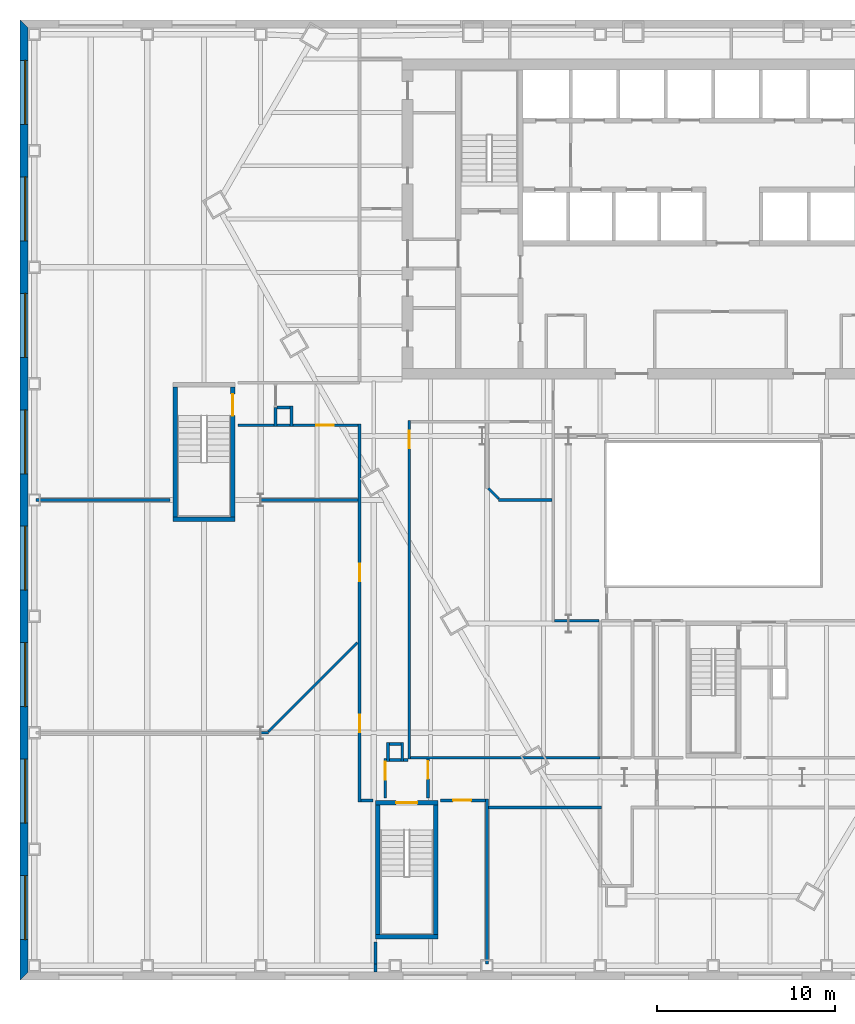
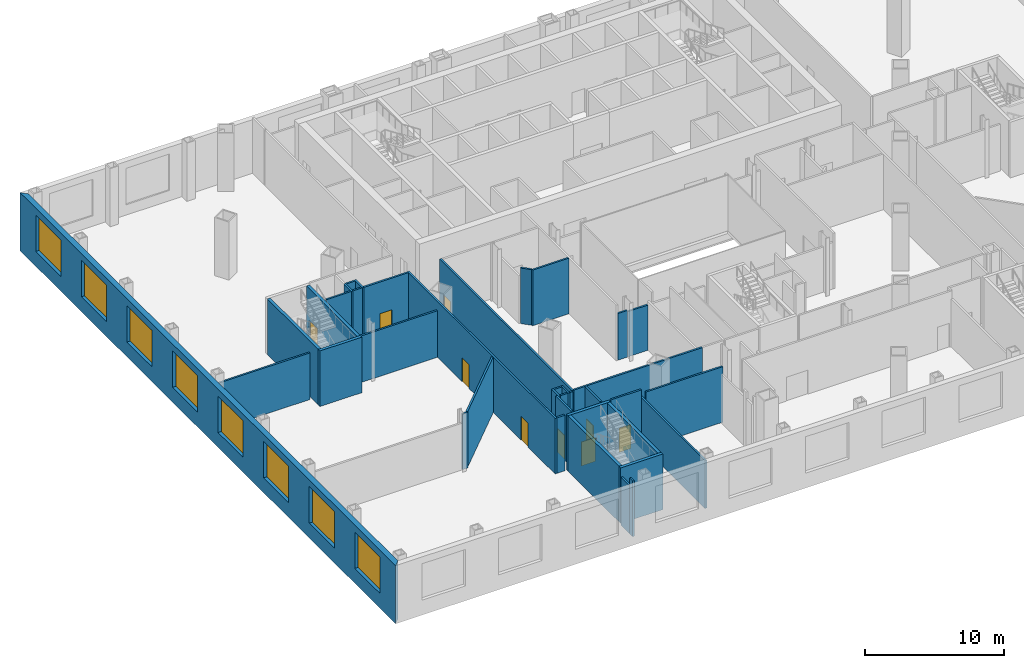
# One storey, part 8 of 21: 38 walls, 9 doors, 8 windows, 17 openings.
"""IFC4 building model written with IfcOpenShell, lengths in metres."""

from ifc_helpers import new_model, si_unit, direction, frame, frame_2d, origin, place, context, subcontext, project, spatial, polyline, rectangle, outline, extrude, material, layer, layer_set, type_object, element, fill, save


model = new_model("IFC4")

# Units and contexts
model_context = context("Model", 3, precision=1e-05, world=origin(), true_north=direction((0.0, 1.0)))
body_context = subcontext(model_context, "Body", "Model", "MODEL_VIEW")
ifc_project = project(units=[si_unit("LENGTHUNIT", "METRE"), si_unit("AREAUNIT", "SQUARE_METRE"), si_unit("VOLUMEUNIT", "CUBIC_METRE"), si_unit("PLANEANGLEUNIT", "RADIAN"), si_unit("MASSUNIT", "GRAM", prefix="KILO")], contexts=[model_context])

# Site, building, storey
site_placement = place(None, origin())
site = spatial("IfcSite", under=ifc_project, at=site_placement, CompositionType="ELEMENT")
building_placement = place(site_placement, origin())
building = spatial("IfcBuilding", under=site, at=building_placement, Name="Njiva Tower", CompositionType="ELEMENT")
storey_placement = place(building_placement, frame((0.0, 0.0, 8.4)))
storey = spatial("IfcBuildingStorey", under=building, at=storey_placement, Name="L01", CompositionType="ELEMENT", Elevation=8.4)

# Walls
ifc_material_1 = material(Name="Gypsum board on steel studs", Category="gypsum")
ifc_layer_1 = layer(ifc_material_1, 0.15)
ifc_layer_set_1 = layer_set([ifc_layer_1], Name="Gypsum board on steel studs")
wall_type_1 = type_object("IfcWallType", Name="WT21 Compartment wall 150", PredefinedType="PARTITIONING", material=ifc_layer_set_1)
wall_1_placement = place(storey_placement, frame((-25.467, -19.9, 0.0), z_axis=(0.0, 0.0, 1.0), x_axis=(1.0, 0.0, 0.0)))
element("IfcWall", 1, at=wall_1_placement, inside=storey, type_object=wall_type_1, Name="Partition L01-P001A", PredefinedType="PARTITIONING", context=body_context, shape_type="SweptSolid", body=[
    extrude(rectangle(XDim=0.441, YDim=0.15, at=frame_2d((0.2205, 0.0))), origin(), (0.0, 0.0, 1.0), 4.88),
])
wall_2_placement = place(storey_placement, frame((-38.1, -6.8, 0.0), z_axis=(0.0, 0.0, 1.0), x_axis=(1.0, 0.0, 0.0)))
element("IfcWall", 2, at=wall_2_placement, inside=storey, type_object=wall_type_1, Name="Partition L01-P002", PredefinedType="PARTITIONING", context=body_context, shape_type="SweptSolid", body=[
    extrude(rectangle(XDim=7.55, YDim=0.15, at=frame_2d((3.775, 0.0))), origin(), (0.0, 0.0, 1.0), 4.09),
])
wall_3_placement = place(storey_placement, frame((-26.75, -6.8, 0.0), z_axis=(0.0, 0.0, 1.0), x_axis=(1.0, 0.0, 0.0)))
element("IfcWall", 3, at=wall_3_placement, inside=storey, type_object=wall_type_1, Name="Partition L01-P003", PredefinedType="PARTITIONING", context=body_context, shape_type="SweptSolid", body=[
    extrude(rectangle(XDim=6.775, YDim=0.15, at=frame_2d((3.3875, 0.0))), origin(), (0.0, 0.0, 1.0), 4.09),
])
wall_4_placement = place(storey_placement, frame((-26.75, -2.6, 0.0), z_axis=(0.0, 0.0, 1.0), x_axis=(1.0, 0.0, 0.0)))
element("IfcWall", 4, at=wall_4_placement, inside=storey, type_object=wall_type_1, Name="Partition L01-P004", PredefinedType="PARTITIONING", context=body_context, shape_type="SweptSolid", body=[
    extrude(rectangle(XDim=2.05, YDim=0.15, at=frame_2d((1.025, 0.0))), origin(), (0.0, 0.0, 1.0), 4.88),
])
wall_5_placement = place(storey_placement, frame((-25.026, -19.825, 0.0), z_axis=(0.0, 0.0, 1.0), x_axis=(0.707106781187, 0.707106781187, 0.0)))
element("IfcWall", 5, at=wall_5_placement, inside=storey, type_object=wall_type_1, Name="Partition L01-P006", PredefinedType="PARTITIONING", context=body_context, shape_type="SweptSolid", body=[
    extrude(rectangle(XDim=7.0682, YDim=0.15, at=frame_2d((3.5341, 0.0))), origin(), (0.0, 0.0, 1.0), 4.88),
])

# Wall, opening, door
wall_6_placement = place(storey_placement, frame((-23.65, -2.6, 0.0), z_axis=(0.0, 0.0, 1.0), x_axis=(1.0, 0.0, 0.0)))
wall_6 = element("IfcWall", 6, at=wall_6_placement, inside=storey, type_object=wall_type_1, Name="Partition L01-P012", PredefinedType="PARTITIONING", context=body_context, shape_type="SweptSolid", body=[
    extrude(rectangle(XDim=3.675, YDim=0.15, at=frame_2d((1.8375, 0.0))), origin(), (0.0, 0.0, 1.0), 4.88),
])
opening_1_placement = place(wall_6_placement, frame((1.312, 0.0, 0.0)))
opening_1 = element("IfcOpeningElement", 7, at=opening_1_placement, cuts=wall_6, Name="Opening L01-D002", PredefinedType="OPENING", context=body_context, shape_type="SweptSolid", body=[
    extrude(rectangle(XDim=1.0, YDim=2.1, at=frame_2d((0.5, 1.05))), frame((0.0, 0.085, 0.0), z_axis=(0.0, -1.0, 0.0), x_axis=(1.0, 0.0, 0.0)), (0.0, 0.0, 1.0), 0.17),
])
ifc_material_2 = material(Name="Steel fire door set", Category="steel")
door_type_1 = type_object("IfcDoorType", Name="D37 Fire door 1000x2100", OperationType="SINGLE_SWING_LEFT", PredefinedType="DOOR", material=ifc_material_2)
door_1_placement = place(opening_1_placement, origin())
door_1 = element("IfcDoor", 8, at=door_1_placement, inside=storey, type_object=door_type_1, Name="Door L01-D002", OperationType="SINGLE_SWING_LEFT", OverallHeight=2.1, OverallWidth=1.0, PredefinedType="DOOR", context=body_context, shape_type="SweptSolid", body=[
    extrude(rectangle(XDim=1.0, YDim=2.1, at=frame_2d((0.5, 1.05))), frame((0.0, 0.025, 0.0), z_axis=(0.0, -1.0, 0.0), x_axis=(1.0, 0.0, 0.0)), (0.0, 0.0, 1.0), 0.05),
])
fill(opening_1, door_1)

# Wall, openings, doors
wall_7_placement = place(storey_placement, frame((-19.9, -23.775, 0.0), z_axis=(0.0, 0.0, 1.0), x_axis=(0.0, 1.0, 0.0)))
wall_7 = element("IfcWall", 9, at=wall_7_placement, inside=storey, type_object=wall_type_1, Name="Partition L01-P014", PredefinedType="PARTITIONING", context=body_context, shape_type="SweptSolid", body=[
    extrude(rectangle(XDim=21.25, YDim=0.15, at=frame_2d((10.625, 0.0))), origin(), (0.0, 0.0, 1.0), 4.88),
])
opening_2_placement = place(wall_7_placement, frame((3.898, 0.0, 0.0)))
opening_2 = element("IfcOpeningElement", 10, at=opening_2_placement, cuts=wall_7, Name="Opening L01-D003", PredefinedType="OPENING", context=body_context, shape_type="SweptSolid", body=[
    extrude(rectangle(XDim=1.0, YDim=2.1, at=frame_2d((0.5, 1.05))), frame((0.0, 0.085, 0.0), z_axis=(0.0, -1.0, 0.0), x_axis=(1.0, 0.0, 0.0)), (0.0, 0.0, 1.0), 0.17),
])
opening_3_placement = place(wall_7_placement, frame((12.399, 0.0, 0.0)))
opening_3 = element("IfcOpeningElement", 11, at=opening_3_placement, cuts=wall_7, Name="Opening L01-D004", PredefinedType="OPENING", context=body_context, shape_type="SweptSolid", body=[
    extrude(rectangle(XDim=1.0, YDim=2.1, at=frame_2d((0.5, 1.05))), frame((0.0, 0.085, 0.0), z_axis=(0.0, -1.0, 0.0), x_axis=(1.0, 0.0, 0.0)), (0.0, 0.0, 1.0), 0.17),
])
door_2_placement = place(opening_2_placement, origin())
door_2 = element("IfcDoor", 12, at=door_2_placement, inside=storey, type_object=door_type_1, Name="Door L01-D003", OperationType="SINGLE_SWING_RIGHT", OverallHeight=2.1, OverallWidth=1.0, PredefinedType="DOOR", context=body_context, shape_type="SweptSolid", body=[
    extrude(rectangle(XDim=1.0, YDim=2.1, at=frame_2d((0.5, 1.05))), frame((0.0, 0.025, 0.0), z_axis=(0.0, -1.0, 0.0), x_axis=(1.0, 0.0, 0.0)), (0.0, 0.0, 1.0), 0.05),
])
fill(opening_2, door_2)
door_3_placement = place(opening_3_placement, origin())
door_3 = element("IfcDoor", 13, at=door_3_placement, inside=storey, type_object=door_type_1, Name="Door L01-D004", OperationType="SINGLE_SWING_LEFT", OverallHeight=2.1, OverallWidth=1.0, PredefinedType="DOOR", context=body_context, shape_type="SweptSolid", body=[
    extrude(rectangle(XDim=1.0, YDim=2.1, at=frame_2d((0.5, 1.05))), frame((0.0, 0.025, 0.0), z_axis=(0.0, -1.0, 0.0), x_axis=(1.0, 0.0, 0.0)), (0.0, 0.0, 1.0), 0.05),
])
fill(opening_3, door_3)

# Walls
wall_8_placement = place(storey_placement, frame((-19.825, -23.7, 0.0), z_axis=(0.0, 0.0, 1.0), x_axis=(1.0, 0.0, 0.0)))
element("IfcWall", 14, at=wall_8_placement, inside=storey, type_object=wall_type_1, Name="Partition L01-P018", PredefinedType="PARTITIONING", context=body_context, shape_type="SweptSolid", body=[
    extrude(rectangle(XDim=0.675, YDim=0.15, at=frame_2d((0.3375, 0.0))), origin(), (0.0, 0.0, 1.0), 4.88),
])
wall_9_placement = place(storey_placement, frame((-19.0, -33.348, 0.0), z_axis=(0.0, 0.0, 1.0), x_axis=(0.0, 1.0, 0.0)))
element("IfcWall", 15, at=wall_9_placement, inside=storey, type_object=wall_type_1, Name="Partition L01-P020", PredefinedType="PARTITIONING", context=body_context, shape_type="SweptSolid", body=[
    extrude(rectangle(XDim=0.448, YDim=0.15, at=frame_2d((0.224, 0.0))), origin(), (0.0, 0.0, 1.0), 4.88),
])
wall_10_placement = place(storey_placement, frame((-19.0, -32.9, 0.0), z_axis=(0.0, 0.0, 1.0), x_axis=(0.0, 1.0, 0.0)))
element("IfcWall", 16, at=wall_10_placement, inside=storey, type_object=wall_type_1, Name="Partition L01-P020A", PredefinedType="PARTITIONING", context=body_context, shape_type="SweptSolid", body=[
    extrude(rectangle(XDim=1.25, YDim=0.15, at=frame_2d((0.625, 0.0))), origin(), (0.0, 0.0, 1.0), 4.19),
])

# Wall, opening, door
wall_11_placement = place(storey_placement, frame((-18.45, -23.55, 0.0), z_axis=(0.0, 0.0, 1.0), x_axis=(0.0, 1.0, 0.0)))
wall_11 = element("IfcWall", 17, at=wall_11_placement, inside=storey, type_object=wall_type_1, Name="Partition L01-P021", PredefinedType="PARTITIONING", context=body_context, shape_type="SweptSolid", body=[
    extrude(rectangle(XDim=2.2, YDim=0.15, at=frame_2d((1.1, 0.0))), origin(), (0.0, 0.0, 1.0), 4.88),
])
opening_4_placement = place(wall_11_placement, frame((1.013, 0.0, 0.0)))
opening_4 = element("IfcOpeningElement", 18, at=opening_4_placement, cuts=wall_11, Name="Opening L01-D007", PredefinedType="OPENING", context=body_context, shape_type="SweptSolid", body=[
    extrude(rectangle(XDim=1.0, YDim=2.1, at=frame_2d((0.5, 1.05))), frame((0.0, 0.085, 0.0), z_axis=(0.0, -1.0, 0.0), x_axis=(1.0, 0.0, 0.0)), (0.0, 0.0, 1.0), 0.17),
])
ifc_material_3 = material(Name="Glazed steel fire door", Category="steel")
door_type_2 = type_object("IfcDoorType", Name="D41 Glazed fire door 1000x2100", OperationType="SINGLE_SWING_LEFT", PredefinedType="DOOR", material=ifc_material_3)
door_4_placement = place(opening_4_placement, origin())
door_4 = element("IfcDoor", 19, at=door_4_placement, inside=storey, type_object=door_type_2, Name="Door L01-D007", OperationType="SINGLE_SWING_RIGHT", OverallHeight=2.1, OverallWidth=1.0, PredefinedType="DOOR", context=body_context, shape_type="SweptSolid", body=[
    extrude(rectangle(XDim=1.0, YDim=2.1, at=frame_2d((0.5, 1.05))), frame((0.0, 0.025, 0.0), z_axis=(0.0, -1.0, 0.0), x_axis=(1.0, 0.0, 0.0)), (0.0, 0.0, 1.0), 0.05),
])
fill(opening_4, door_4)

# Wall
wall_12_placement = place(storey_placement, frame((-17.425, -21.425, 0.0), z_axis=(0.0, 0.0, 1.0), x_axis=(1.0, 0.0, 0.0)))
element("IfcWall", 20, at=wall_12_placement, inside=storey, type_object=wall_type_1, Name="Partition L01-P026", PredefinedType="PARTITIONING", context=body_context, shape_type="SweptSolid", body=[
    extrude(rectangle(XDim=0.25, YDim=0.15, at=frame_2d((0.125, 0.0))), origin(), (0.0, 0.0, 1.0), 4.88),
])

# Wall, opening, door
wall_13_placement = place(storey_placement, frame((-17.1, -21.375, 0.0), z_axis=(0.0, 0.0, 1.0), x_axis=(0.0, 1.0, 0.0)))
wall_13 = element("IfcWall", 21, at=wall_13_placement, inside=storey, type_object=wall_type_1, Name="Partition L01-P027", PredefinedType="PARTITIONING", context=body_context, shape_type="SweptSolid", body=[
    extrude(rectangle(XDim=19.05, YDim=0.15, at=frame_2d((9.525, 0.0))), origin(), (0.0, 0.0, 1.0), 4.88),
])
opening_5_placement = place(wall_13_placement, frame((17.475, 0.0, 0.0)))
opening_5 = element("IfcOpeningElement", 22, at=opening_5_placement, cuts=wall_13, Name="Opening L01-D008", PredefinedType="OPENING", context=body_context, shape_type="SweptSolid", body=[
    extrude(rectangle(XDim=1.0, YDim=2.1, at=frame_2d((0.5, 1.05))), frame((0.0, 0.085, 0.0), z_axis=(0.0, -1.0, 0.0), x_axis=(1.0, 0.0, 0.0)), (0.0, 0.0, 1.0), 0.17),
])
door_5_placement = place(opening_5_placement, origin())
door_5 = element("IfcDoor", 23, at=door_5_placement, inside=storey, type_object=door_type_1, Name="Door L01-D008", OperationType="SINGLE_SWING_RIGHT", OverallHeight=2.1, OverallWidth=1.0, PredefinedType="DOOR", context=body_context, shape_type="SweptSolid", body=[
    extrude(rectangle(XDim=1.0, YDim=2.1, at=frame_2d((0.5, 1.05))), frame((0.0, 0.025, 0.0), z_axis=(0.0, -1.0, 0.0), x_axis=(1.0, 0.0, 0.0)), (0.0, 0.0, 1.0), 0.05),
])
fill(opening_5, door_5)

# Wall
wall_14_placement = place(storey_placement, frame((-17.025, -21.3, 0.0), z_axis=(0.0, 0.0, 1.0), x_axis=(1.0, 0.0, 0.0)))
element("IfcWall", 24, at=wall_14_placement, inside=storey, type_object=wall_type_1, Name="Partition L01-P028", PredefinedType="PARTITIONING", context=body_context, shape_type="SweptSolid", body=[
    extrude(rectangle(XDim=10.655, YDim=0.15, at=frame_2d((5.3275, 0.0))), origin(), (0.0, 0.0, 1.0), 4.88),
])

# Wall, opening, door
wall_15_placement = place(storey_placement, frame((-16.05, -23.55, 0.0), z_axis=(0.0, 0.0, 1.0), x_axis=(0.0, 1.0, 0.0)))
wall_15 = element("IfcWall", 25, at=wall_15_placement, inside=storey, type_object=wall_type_1, Name="Partition L01-P030", PredefinedType="PARTITIONING", context=body_context, shape_type="SweptSolid", body=[
    extrude(rectangle(XDim=2.175, YDim=0.15, at=frame_2d((1.0875, 0.0))), origin(), (0.0, 0.0, 1.0), 4.88),
])
opening_6_placement = place(wall_15_placement, frame((1.063, 0.0, 0.0)))
opening_6 = element("IfcOpeningElement", 26, at=opening_6_placement, cuts=wall_15, Name="Opening L01-D010", PredefinedType="OPENING", context=body_context, shape_type="SweptSolid", body=[
    extrude(rectangle(XDim=1.0, YDim=2.1, at=frame_2d((0.5, 1.05))), frame((0.0, 0.085, 0.0), z_axis=(0.0, -1.0, 0.0), x_axis=(1.0, 0.0, 0.0)), (0.0, 0.0, 1.0), 0.17),
])
door_6_placement = place(opening_6_placement, origin())
door_6 = element("IfcDoor", 27, at=door_6_placement, inside=storey, type_object=door_type_2, Name="Door L01-D010", OperationType="SINGLE_SWING_LEFT", OverallHeight=2.1, OverallWidth=1.0, PredefinedType="DOOR", context=body_context, shape_type="SweptSolid", body=[
    extrude(rectangle(XDim=1.0, YDim=2.1, at=frame_2d((0.5, 1.05))), frame((0.0, 0.025, 0.0), z_axis=(0.0, -1.0, 0.0), x_axis=(1.0, 0.0, 0.0)), (0.0, 0.0, 1.0), 0.05),
])
fill(opening_6, door_6)

wall_16_placement = place(storey_placement, frame((-15.35, -23.7, 0.0), z_axis=(0.0, 0.0, 1.0), x_axis=(1.0, 0.0, 0.0)))
wall_16 = element("IfcWall", 28, at=wall_16_placement, inside=storey, type_object=wall_type_1, Name="Partition L01-P031", PredefinedType="PARTITIONING", context=body_context, shape_type="SweptSolid", body=[
    extrude(rectangle(XDim=2.542, YDim=0.15, at=frame_2d((1.271, 0.0))), origin(), (0.0, 0.0, 1.0), 4.88),
])
opening_7_placement = place(wall_16_placement, frame((0.719, 0.0, 0.0)))
opening_7 = element("IfcOpeningElement", 29, at=opening_7_placement, cuts=wall_16, Name="Opening L01-D011", PredefinedType="OPENING", context=body_context, shape_type="SweptSolid", body=[
    extrude(rectangle(XDim=1.0, YDim=2.1, at=frame_2d((0.5, 1.05))), frame((0.0, 0.085, 0.0), z_axis=(0.0, -1.0, 0.0), x_axis=(1.0, 0.0, 0.0)), (0.0, 0.0, 1.0), 0.17),
])
door_7_placement = place(opening_7_placement, origin())
door_7 = element("IfcDoor", 30, at=door_7_placement, inside=storey, type_object=door_type_1, Name="Door L01-D011", OperationType="SINGLE_SWING_LEFT", OverallHeight=2.1, OverallWidth=1.0, PredefinedType="DOOR", context=body_context, shape_type="SweptSolid", body=[
    extrude(rectangle(XDim=1.0, YDim=2.1, at=frame_2d((0.5, 1.05))), frame((0.0, 0.025, 0.0), z_axis=(0.0, -1.0, 0.0), x_axis=(1.0, 0.0, 0.0)), (0.0, 0.0, 1.0), 0.05),
])
fill(opening_7, door_7)

# Walls
wall_17_placement = place(storey_placement, frame((-12.733, -32.9, 0.0), z_axis=(0.0, 0.0, 1.0), x_axis=(0.0, 1.0, 0.0)))
element("IfcWall", 31, at=wall_17_placement, inside=storey, type_object=wall_type_1, Name="Partition L01-P032", PredefinedType="PARTITIONING", context=body_context, shape_type="SweptSolid", body=[
    extrude(rectangle(XDim=9.275, YDim=0.15, at=frame_2d((4.6375, 0.0))), origin(), (0.0, 0.0, 1.0), 4.19),
])
wall_18_placement = place(storey_placement, frame((-12.658, -24.1, 0.0), z_axis=(0.0, 0.0, 1.0), x_axis=(1.0, 0.0, 0.0)))
element("IfcWall", 32, at=wall_18_placement, inside=storey, type_object=wall_type_1, Name="Partition L01-P034", PredefinedType="PARTITIONING", context=body_context, shape_type="SweptSolid", body=[
    extrude(rectangle(XDim=6.373, YDim=0.15, at=frame_2d((3.1865, 0.0))), origin(), (0.0, 0.0, 1.0), 4.88),
])
wall_19_placement = place(storey_placement, frame((-12.658, -6.142, 0.0), z_axis=(0.0, 0.0, 1.0), x_axis=(0.707106781187, -0.707106781187, 0.0)))
element("IfcWall", 33, at=wall_19_placement, inside=storey, type_object=wall_type_1, Name="Partition L01-P035", PredefinedType="PARTITIONING", context=body_context, shape_type="SweptSolid", body=[
    extrude(rectangle(XDim=0.8245, YDim=0.15, at=frame_2d((0.4122, 0.0))), origin(), (0.0, 0.0, 1.0), 4.88),
])
wall_20_placement = place(storey_placement, frame((-12.075, -6.8, 0.0), z_axis=(0.0, 0.0, 1.0), x_axis=(1.0, 0.0, 0.0)))
element("IfcWall", 34, at=wall_20_placement, inside=storey, type_object=wall_type_1, Name="Partition L01-P036", PredefinedType="PARTITIONING", context=body_context, shape_type="SweptSolid", body=[
    extrude(rectangle(XDim=3.0, YDim=0.15, at=frame_2d((1.5, 0.0))), origin(), (0.0, 0.0, 1.0), 4.88),
])
wall_21_placement = place(storey_placement, frame((-8.925, -13.6, 0.0), z_axis=(0.0, 0.0, 1.0), x_axis=(1.0, 0.0, 0.0)))
element("IfcWall", 35, at=wall_21_placement, inside=storey, type_object=wall_type_1, Name="Partition L01-P039", PredefinedType="PARTITIONING", context=body_context, shape_type="SweptSolid", body=[
    extrude(rectangle(XDim=0.775, YDim=0.15, at=frame_2d((0.3875, 0.0))), origin(), (0.0, 0.0, 1.0), 4.09),
])
wall_22_placement = place(storey_placement, frame((-8.15, -13.6, 0.0), z_axis=(0.0, 0.0, 1.0), x_axis=(1.0, 0.0, 0.0)))
element("IfcWall", 36, at=wall_22_placement, inside=storey, type_object=wall_type_1, Name="Partition L01-P039A", PredefinedType="PARTITIONING", context=body_context, shape_type="SweptSolid", body=[
    extrude(rectangle(XDim=1.708, YDim=0.15, at=frame_2d((0.854, 0.0))), origin(), (0.0, 0.0, 1.0), 3.97),
])
ifc_layer_2 = layer(ifc_material_1, 0.15)
ifc_layer_set_2 = layer_set([ifc_layer_2], Name="Gypsum board on steel studs")
wall_type_2 = type_object("IfcWallType", Name="WT24 Riser room wall 150", PredefinedType="PARTITIONING", material=ifc_layer_set_2)
wall_23_placement = place(storey_placement, frame((-24.625, -2.675, 0.0), z_axis=(0.0, 0.0, 1.0), x_axis=(0.0, 1.0, 0.0)))
element("IfcWall", 37, at=wall_23_placement, inside=storey, type_object=wall_type_2, Name="Partition L01-P007", PredefinedType="PARTITIONING", context=body_context, shape_type="SweptSolid", body=[
    extrude(rectangle(XDim=1.087, YDim=0.15, at=frame_2d((0.5435, 0.0))), origin(), (0.0, 0.0, 1.0), 4.88),
])
for number, where, z_axis, x_axis, name in (
    (38, (-24.55, -2.6, 0.0), (0.0, 0.0, 1.0), (1.0, 0.0, 0.0), "Partition L01-P009"),
    (39, (-24.55, -1.6, 0.0), (0.0, 0.0, 1.0), (1.0, 0.0, 0.0), "Partition L01-P010"),
):
    element("IfcWall", number, at=place(storey_placement, frame(where, z_axis=z_axis, x_axis=x_axis)), inside=storey, type_object=wall_type_2, Name=name, PredefinedType="PARTITIONING", context=body_context, shape_type="SweptSolid", body=[
        extrude(rectangle(XDim=0.75, YDim=0.15, at=frame_2d((0.375, 0.0))), origin(), (0.0, 0.0, 1.0), 4.88),
    ])
wall_24_placement = place(storey_placement, frame((-23.725, -2.675, 0.0), z_axis=(0.0, 0.0, 1.0), x_axis=(0.0, 1.0, 0.0)))
element("IfcWall", 40, at=wall_24_placement, inside=storey, type_object=wall_type_2, Name="Partition L01-P011", PredefinedType="PARTITIONING", context=body_context, shape_type="SweptSolid", body=[
    extrude(rectangle(XDim=1.15, YDim=0.15, at=frame_2d((0.575, 0.0))), origin(), (0.0, 0.0, 1.0), 4.88),
])
wall_25_placement = place(storey_placement, frame((-18.3, -21.5, 0.0), z_axis=(0.0, 0.0, 1.0), x_axis=(0.0, 1.0, 0.0)))
element("IfcWall", 41, at=wall_25_placement, inside=storey, type_object=wall_type_2, Name="Partition L01-P022", PredefinedType="PARTITIONING", context=body_context, shape_type="SweptSolid", body=[
    extrude(rectangle(XDim=1.05, YDim=0.15, at=frame_2d((0.525, 0.0))), origin(), (0.0, 0.0, 1.0), 4.88),
])
for number, where, z_axis, x_axis, name in (
    (42, (-18.225, -21.425, 0.0), (0.0, 0.0, 1.0), (1.0, 0.0, 0.0), "Partition L01-P023"),
    (43, (-18.225, -20.525, 0.0), (0.0, 0.0, 1.0), (1.0, 0.0, 0.0), "Partition L01-P024"),
):
    element("IfcWall", number, at=place(storey_placement, frame(where, z_axis=z_axis, x_axis=x_axis)), inside=storey, type_object=wall_type_2, Name=name, PredefinedType="PARTITIONING", context=body_context, shape_type="SweptSolid", body=[
        extrude(rectangle(XDim=0.65, YDim=0.15, at=frame_2d((0.325, 0.0))), origin(), (0.0, 0.0, 1.0), 4.88),
    ])
wall_26_placement = place(storey_placement, frame((-17.5, -21.5, 0.0), z_axis=(0.0, 0.0, 1.0), x_axis=(0.0, 1.0, 0.0)))
element("IfcWall", 44, at=wall_26_placement, inside=storey, type_object=wall_type_2, Name="Partition L01-P025", PredefinedType="PARTITIONING", context=body_context, shape_type="SweptSolid", body=[
    extrude(rectangle(XDim=1.05, YDim=0.15, at=frame_2d((0.525, 0.0))), origin(), (0.0, 0.0, 1.0), 4.88),
])
ifc_material_4 = material(Name="Concrete C40/50", Category="concrete")
ifc_layer_3 = layer(ifc_material_4, 0.25)
ifc_layer_set_3 = layer_set([ifc_layer_3], Name="Concrete C40/50")
wall_type_3 = type_object("IfcWallType", Name="WT9 Stair enclosure wall 250", PredefinedType="SHEAR", material=ifc_layer_set_3)
for number, where, z_axis, x_axis, name in (
    (45, (-18.875, -31.25, 0.0), (0.0, 0.0, 1.0), (0.0, 1.0, 0.0), "Stair D wall west"),
    (46, (-15.625, -31.25, 0.0), (0.0, 0.0, 1.0), (0.0, 1.0, 0.0), "Stair D wall east"),
):
    element("IfcWall", number, at=place(storey_placement, frame(where, z_axis=z_axis, x_axis=x_axis)), inside=storey, type_object=wall_type_3, Name=name, PredefinedType="SHEAR", context=body_context, shape_type="SweptSolid", body=[
        extrude(rectangle(XDim=7.3, YDim=0.25, at=frame_2d((3.65, 0.0))), origin(), (0.0, 0.0, 1.0), 4.88),
    ])
wall_27_placement = place(storey_placement, frame((-19.0, -31.375, 0.0), z_axis=(0.0, 0.0, 1.0), x_axis=(1.0, 0.0, 0.0)))
element("IfcWall", 47, at=wall_27_placement, inside=storey, type_object=wall_type_3, Name="Stair D wall south", PredefinedType="SHEAR", context=body_context, shape_type="SweptSolid", body=[
    extrude(rectangle(XDim=3.5, YDim=0.25, at=frame_2d((1.75, 0.0))), origin(), (0.0, 0.0, 1.0), 4.88),
])

# Wall, opening, door
wall_28_placement = place(storey_placement, frame((-19.0, -23.825, 0.0), z_axis=(0.0, 0.0, 1.0), x_axis=(1.0, 0.0, 0.0)))
wall_28 = element("IfcWall", 48, at=wall_28_placement, inside=storey, type_object=wall_type_3, Name="Stair D wall north", PredefinedType="SHEAR", context=body_context, shape_type="SweptSolid", body=[
    extrude(rectangle(XDim=3.5, YDim=0.25, at=frame_2d((1.75, 0.0))), origin(), (0.0, 0.0, 1.0), 4.88),
])
opening_8_placement = place(wall_28_placement, frame((1.15, 0.0, 0.0)))
opening_8 = element("IfcOpeningElement", 49, at=opening_8_placement, cuts=wall_28, Name="Opening L01-D940", PredefinedType="OPENING", context=body_context, shape_type="SweptSolid", body=[
    extrude(rectangle(XDim=1.2, YDim=2.1, at=frame_2d((0.6, 1.05))), frame((0.0, 0.135, 0.0), z_axis=(0.0, -1.0, 0.0), x_axis=(1.0, 0.0, 0.0)), (0.0, 0.0, 1.0), 0.27),
])
ifc_material_5 = material(Name="Steel door, painted", Category="steel")
door_type_3 = type_object("IfcDoorType", Name="D1 Stair door 1200x2100", OperationType="SINGLE_SWING_LEFT", PredefinedType="DOOR", material=ifc_material_5)
door_8_placement = place(opening_8_placement, origin())
door_8 = element("IfcDoor", 50, at=door_8_placement, inside=storey, type_object=door_type_3, Name="Stair D door", OperationType="SINGLE_SWING_LEFT", OverallHeight=2.1, OverallWidth=1.2, PredefinedType="DOOR", context=body_context, shape_type="SweptSolid", body=[
    extrude(rectangle(XDim=1.2, YDim=2.1, at=frame_2d((0.6, 1.05))), frame((0.0, 0.025, 0.0), z_axis=(0.0, -1.0, 0.0), x_axis=(1.0, 0.0, 0.0)), (0.0, 0.0, 1.0), 0.05),
])
fill(opening_8, door_8)

# Wall
wall_29_placement = place(storey_placement, frame((-30.275, -7.75, 0.0), z_axis=(0.0, 0.0, 1.0), x_axis=(0.0, 1.0, 0.0)))
element("IfcWall", 51, at=wall_29_placement, inside=storey, type_object=wall_type_3, Name="Stair F wall west", PredefinedType="SHEAR", context=body_context, shape_type="SweptSolid", body=[
    extrude(rectangle(XDim=7.3, YDim=0.25, at=frame_2d((3.65, 0.0))), origin(), (0.0, 0.0, 1.0), 4.88),
])

# Wall, opening, door
wall_30_placement = place(storey_placement, frame((-27.025, -7.75, 0.0), z_axis=(0.0, 0.0, 1.0), x_axis=(0.0, 1.0, 0.0)))
wall_30 = element("IfcWall", 52, at=wall_30_placement, inside=storey, type_object=wall_type_3, Name="Stair F wall east", PredefinedType="SHEAR", context=body_context, shape_type="SweptSolid", body=[
    extrude(rectangle(XDim=7.3, YDim=0.25, at=frame_2d((3.65, 0.0))), origin(), (0.0, 0.0, 1.0), 4.88),
])
opening_9_placement = place(wall_30_placement, frame((5.7, 0.0, 0.0)))
opening_9 = element("IfcOpeningElement", 53, at=opening_9_placement, cuts=wall_30, Name="Opening L01-D942", PredefinedType="OPENING", context=body_context, shape_type="SweptSolid", body=[
    extrude(rectangle(XDim=1.2, YDim=2.1, at=frame_2d((0.6, 1.05))), frame((0.0, 0.135, 0.0), z_axis=(0.0, -1.0, 0.0), x_axis=(1.0, 0.0, 0.0)), (0.0, 0.0, 1.0), 0.27),
])
door_9_placement = place(opening_9_placement, origin())
door_9 = element("IfcDoor", 54, at=door_9_placement, inside=storey, type_object=door_type_3, Name="Stair F door", OperationType="SINGLE_SWING_LEFT", OverallHeight=2.1, OverallWidth=1.2, PredefinedType="DOOR", context=body_context, shape_type="SweptSolid", body=[
    extrude(rectangle(XDim=1.2, YDim=2.1, at=frame_2d((0.6, 1.05))), frame((0.0, 0.025, 0.0), z_axis=(0.0, -1.0, 0.0), x_axis=(1.0, 0.0, 0.0)), (0.0, 0.0, 1.0), 0.05),
])
fill(opening_9, door_9)

# Wall
wall_31_placement = place(storey_placement, frame((-30.4, -7.875, 0.0), z_axis=(0.0, 0.0, 1.0), x_axis=(1.0, 0.0, 0.0)))
element("IfcWall", 55, at=wall_31_placement, inside=storey, type_object=wall_type_3, Name="Stair F wall south", PredefinedType="SHEAR", context=body_context, shape_type="SweptSolid", body=[
    extrude(rectangle(XDim=3.5, YDim=0.25, at=frame_2d((1.75, 0.0))), origin(), (0.0, 0.0, 1.0), 4.88),
])

# Wall, openings, windows
ifc_material_6 = material(Name="Brick masonry", Category="masonry")
ifc_layer_4 = layer(ifc_material_6, 0.45)
ifc_layer_set_4 = layer_set([ifc_layer_4], Name="Brick masonry")
wall_type_4 = type_object("IfcWallType", Name="WT90 Brick pier and spandrel wall 450", PredefinedType="SOLIDWALL", material=ifc_layer_set_4)
wall_32_placement = place(storey_placement, frame((-38.775, 19.975, -0.4), z_axis=(0.0, 0.0, 1.0), x_axis=(0.0, -1.0, 0.0)))
wall_32 = element("IfcWall", 56, at=wall_32_placement, inside=storey, type_object=wall_type_4, Name="Podium wall W", PredefinedType="SOLIDWALL", context=body_context, shape_type="SweptSolid", body=[
    extrude(outline(polyline([(-0.225, -0.225), (53.775, -0.225), (53.325, 0.225), (0.225, 0.225), (-0.225, -0.225)])), origin(), (0.0, 0.0, 1.0), 5.1),
])
opening_10_placement = place(wall_32_placement, frame((2.05, 0.0, 1.3)))
opening_10 = element("IfcOpeningElement", 57, at=opening_10_placement, cuts=wall_32, Name="Opening L01-W17", PredefinedType="OPENING", context=body_context, shape_type="SweptSolid", body=[
    extrude(rectangle(XDim=3.6, YDim=3.2, at=frame_2d((1.8, 1.6))), frame((0.0, 0.235, 0.0), z_axis=(0.0, -1.0, 0.0), x_axis=(1.0, 0.0, 0.0)), (0.0, 0.0, 1.0), 0.47),
])
opening_11_placement = place(wall_32_placement, frame((8.6, 0.0, 1.3)))
opening_11 = element("IfcOpeningElement", 58, at=opening_11_placement, cuts=wall_32, Name="Opening L01-W18", PredefinedType="OPENING", context=body_context, shape_type="SweptSolid", body=[
    extrude(rectangle(XDim=3.6, YDim=3.2, at=frame_2d((1.8, 1.6))), frame((0.0, 0.235, 0.0), z_axis=(0.0, -1.0, 0.0), x_axis=(1.0, 0.0, 0.0)), (0.0, 0.0, 1.0), 0.47),
])
opening_12_placement = place(wall_32_placement, frame((15.15, 0.0, 1.3)))
opening_12 = element("IfcOpeningElement", 59, at=opening_12_placement, cuts=wall_32, Name="Opening L01-W19", PredefinedType="OPENING", context=body_context, shape_type="SweptSolid", body=[
    extrude(rectangle(XDim=3.6, YDim=3.2, at=frame_2d((1.8, 1.6))), frame((0.0, 0.235, 0.0), z_axis=(0.0, -1.0, 0.0), x_axis=(1.0, 0.0, 0.0)), (0.0, 0.0, 1.0), 0.47),
])
opening_13_placement = place(wall_32_placement, frame((21.7, 0.0, 1.3)))
opening_13 = element("IfcOpeningElement", 60, at=opening_13_placement, cuts=wall_32, Name="Opening L01-W20", PredefinedType="OPENING", context=body_context, shape_type="SweptSolid", body=[
    extrude(rectangle(XDim=3.6, YDim=3.2, at=frame_2d((1.8, 1.6))), frame((0.0, 0.235, 0.0), z_axis=(0.0, -1.0, 0.0), x_axis=(1.0, 0.0, 0.0)), (0.0, 0.0, 1.0), 0.47),
])
opening_14_placement = place(wall_32_placement, frame((28.25, 0.0, 1.3)))
opening_14 = element("IfcOpeningElement", 61, at=opening_14_placement, cuts=wall_32, Name="Opening L01-W21", PredefinedType="OPENING", context=body_context, shape_type="SweptSolid", body=[
    extrude(rectangle(XDim=3.6, YDim=3.2, at=frame_2d((1.8, 1.6))), frame((0.0, 0.235, 0.0), z_axis=(0.0, -1.0, 0.0), x_axis=(1.0, 0.0, 0.0)), (0.0, 0.0, 1.0), 0.47),
])
opening_15_placement = place(wall_32_placement, frame((34.8, 0.0, 1.3)))
opening_15 = element("IfcOpeningElement", 62, at=opening_15_placement, cuts=wall_32, Name="Opening L01-W22", PredefinedType="OPENING", context=body_context, shape_type="SweptSolid", body=[
    extrude(rectangle(XDim=3.6, YDim=3.2, at=frame_2d((1.8, 1.6))), frame((0.0, 0.235, 0.0), z_axis=(0.0, -1.0, 0.0), x_axis=(1.0, 0.0, 0.0)), (0.0, 0.0, 1.0), 0.47),
])
opening_16_placement = place(wall_32_placement, frame((41.35, 0.0, 1.3)))
opening_16 = element("IfcOpeningElement", 63, at=opening_16_placement, cuts=wall_32, Name="Opening L01-W23", PredefinedType="OPENING", context=body_context, shape_type="SweptSolid", body=[
    extrude(rectangle(XDim=3.6, YDim=3.2, at=frame_2d((1.8, 1.6))), frame((0.0, 0.235, 0.0), z_axis=(0.0, -1.0, 0.0), x_axis=(1.0, 0.0, 0.0)), (0.0, 0.0, 1.0), 0.47),
])
opening_17_placement = place(wall_32_placement, frame((47.9, 0.0, 1.3)))
opening_17 = element("IfcOpeningElement", 64, at=opening_17_placement, cuts=wall_32, Name="Opening L01-W24", PredefinedType="OPENING", context=body_context, shape_type="SweptSolid", body=[
    extrude(rectangle(XDim=3.6, YDim=3.2, at=frame_2d((1.8, 1.6))), frame((0.0, 0.235, 0.0), z_axis=(0.0, -1.0, 0.0), x_axis=(1.0, 0.0, 0.0)), (0.0, 0.0, 1.0), 0.47),
])
ifc_material_7 = material(Name="Clear glazing in aluminium frame", Category="aluminium")
window_type = type_object("IfcWindowType", Name="W98 Deep-set window 3600x3200", PartitioningType="SINGLE_PANEL", PredefinedType="WINDOW", material=ifc_material_7)
window_1_placement = place(opening_10_placement, origin())
window_1 = element("IfcWindow", 65, at=window_1_placement, inside=storey, type_object=window_type, Name="Window", OverallHeight=3.2, OverallWidth=3.6, PartitioningType="SINGLE_PANEL", PredefinedType="WINDOW", context=body_context, shape_type="SweptSolid", body=[
    extrude(rectangle(XDim=3.6, YDim=3.2, at=frame_2d((1.8, 1.6))), frame((0.0, 0.105, 0.0), z_axis=(0.0, -1.0, 0.0), x_axis=(1.0, 0.0, 0.0)), (0.0, 0.0, 1.0), 0.06),
])
fill(opening_10, window_1)
window_2_placement = place(opening_11_placement, origin())
window_2 = element("IfcWindow", 66, at=window_2_placement, inside=storey, type_object=window_type, Name="Window", OverallHeight=3.2, OverallWidth=3.6, PartitioningType="SINGLE_PANEL", PredefinedType="WINDOW", context=body_context, shape_type="SweptSolid", body=[
    extrude(rectangle(XDim=3.6, YDim=3.2, at=frame_2d((1.8, 1.6))), frame((0.0, 0.105, 0.0), z_axis=(0.0, -1.0, 0.0), x_axis=(1.0, 0.0, 0.0)), (0.0, 0.0, 1.0), 0.06),
])
fill(opening_11, window_2)
window_3_placement = place(opening_12_placement, origin())
window_3 = element("IfcWindow", 67, at=window_3_placement, inside=storey, type_object=window_type, Name="Window", OverallHeight=3.2, OverallWidth=3.6, PartitioningType="SINGLE_PANEL", PredefinedType="WINDOW", context=body_context, shape_type="SweptSolid", body=[
    extrude(rectangle(XDim=3.6, YDim=3.2, at=frame_2d((1.8, 1.6))), frame((0.0, 0.105, 0.0), z_axis=(0.0, -1.0, 0.0), x_axis=(1.0, 0.0, 0.0)), (0.0, 0.0, 1.0), 0.06),
])
fill(opening_12, window_3)
window_4_placement = place(opening_13_placement, origin())
window_4 = element("IfcWindow", 68, at=window_4_placement, inside=storey, type_object=window_type, Name="Window", OverallHeight=3.2, OverallWidth=3.6, PartitioningType="SINGLE_PANEL", PredefinedType="WINDOW", context=body_context, shape_type="SweptSolid", body=[
    extrude(rectangle(XDim=3.6, YDim=3.2, at=frame_2d((1.8, 1.6))), frame((0.0, 0.105, 0.0), z_axis=(0.0, -1.0, 0.0), x_axis=(1.0, 0.0, 0.0)), (0.0, 0.0, 1.0), 0.06),
])
fill(opening_13, window_4)
window_5_placement = place(opening_14_placement, origin())
window_5 = element("IfcWindow", 69, at=window_5_placement, inside=storey, type_object=window_type, Name="Window", OverallHeight=3.2, OverallWidth=3.6, PartitioningType="SINGLE_PANEL", PredefinedType="WINDOW", context=body_context, shape_type="SweptSolid", body=[
    extrude(rectangle(XDim=3.6, YDim=3.2, at=frame_2d((1.8, 1.6))), frame((0.0, 0.105, 0.0), z_axis=(0.0, -1.0, 0.0), x_axis=(1.0, 0.0, 0.0)), (0.0, 0.0, 1.0), 0.06),
])
fill(opening_14, window_5)
window_6_placement = place(opening_15_placement, origin())
window_6 = element("IfcWindow", 70, at=window_6_placement, inside=storey, type_object=window_type, Name="Window", OverallHeight=3.2, OverallWidth=3.6, PartitioningType="SINGLE_PANEL", PredefinedType="WINDOW", context=body_context, shape_type="SweptSolid", body=[
    extrude(rectangle(XDim=3.6, YDim=3.2, at=frame_2d((1.8, 1.6))), frame((0.0, 0.105, 0.0), z_axis=(0.0, -1.0, 0.0), x_axis=(1.0, 0.0, 0.0)), (0.0, 0.0, 1.0), 0.06),
])
fill(opening_15, window_6)
window_7_placement = place(opening_16_placement, origin())
window_7 = element("IfcWindow", 71, at=window_7_placement, inside=storey, type_object=window_type, Name="Window", OverallHeight=3.2, OverallWidth=3.6, PartitioningType="SINGLE_PANEL", PredefinedType="WINDOW", context=body_context, shape_type="SweptSolid", body=[
    extrude(rectangle(XDim=3.6, YDim=3.2, at=frame_2d((1.8, 1.6))), frame((0.0, 0.105, 0.0), z_axis=(0.0, -1.0, 0.0), x_axis=(1.0, 0.0, 0.0)), (0.0, 0.0, 1.0), 0.06),
])
fill(opening_16, window_7)
window_8_placement = place(opening_17_placement, origin())
window_8 = element("IfcWindow", 72, at=window_8_placement, inside=storey, type_object=window_type, Name="Window", OverallHeight=3.2, OverallWidth=3.6, PartitioningType="SINGLE_PANEL", PredefinedType="WINDOW", context=body_context, shape_type="SweptSolid", body=[
    extrude(rectangle(XDim=3.6, YDim=3.2, at=frame_2d((1.8, 1.6))), frame((0.0, 0.105, 0.0), z_axis=(0.0, -1.0, 0.0), x_axis=(1.0, 0.0, 0.0)), (0.0, 0.0, 1.0), 0.06),
])
fill(opening_17, window_8)

save(model, "model.ifc")
